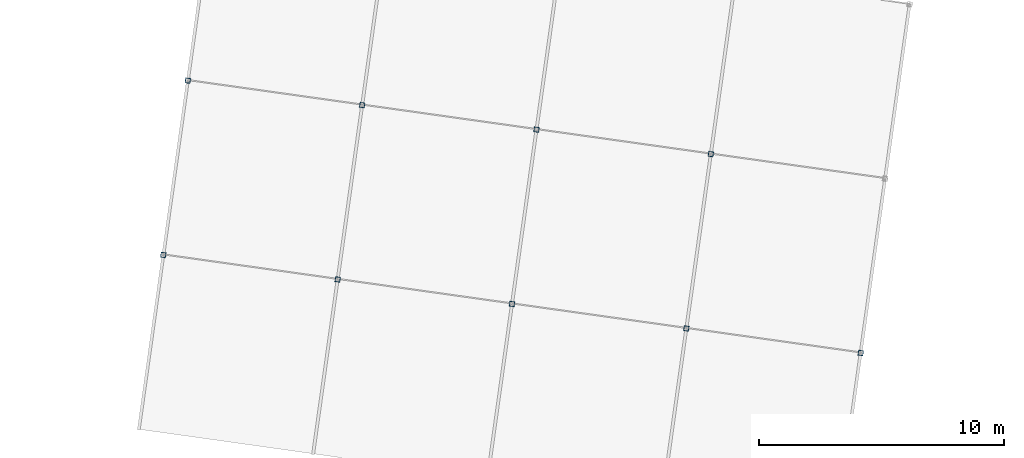
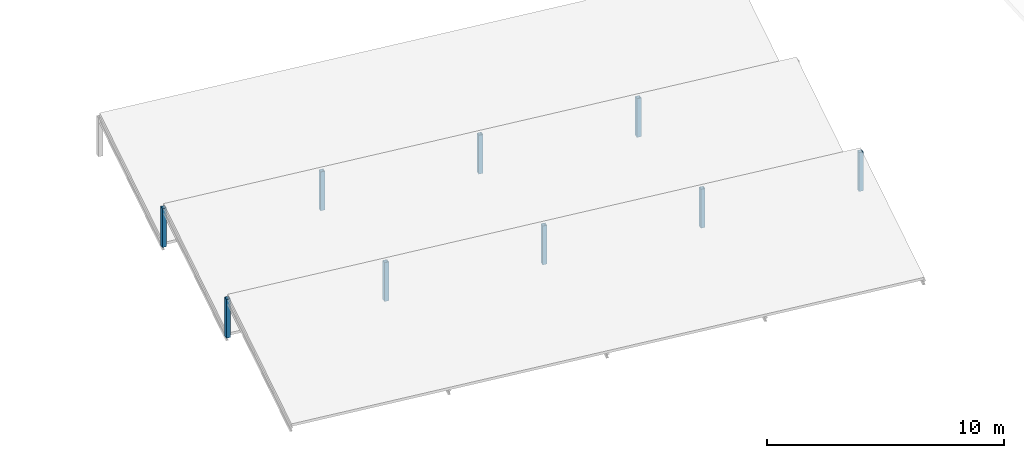
# One storey, part 2 of 48: 9 columns.
"""IFC4 building model written with IfcOpenShell, lengths in metres."""

from ifc_helpers import new_model, si_unit, direction, frame, origin, origin_2d, place, context, subcontext, project, spatial, hollow_rectangle, extrude, material, material_profile, profile_set, type_object, element, save


model = new_model("IFC4")

# Units and contexts
model_context = context("Model", 3, precision=1e-05, world=origin(), true_north=direction((0.0, 1.0)))
body_context = subcontext(model_context, "Body", "Model", "MODEL_VIEW")
ifc_project = project(units=[si_unit("LENGTHUNIT", "METRE"), si_unit("AREAUNIT", "SQUARE_METRE"), si_unit("VOLUMEUNIT", "CUBIC_METRE"), si_unit("PLANEANGLEUNIT", "RADIAN"), si_unit("MASSUNIT", "GRAM", prefix="KILO")], contexts=[model_context])

# Site, building, storey
site_placement = place(None, origin())
site = spatial("IfcSite", under=ifc_project, at=site_placement, CompositionType="ELEMENT")
building_placement = place(site_placement, origin())
building = spatial("IfcBuilding", under=site, at=building_placement, Name="Kharisveld Research Institute", CompositionType="ELEMENT")
storey_placement = place(building_placement, frame((0.0, 0.0, 14.10009765625)))
storey = spatial("IfcBuildingStorey", under=building, at=storey_placement, Name="L03", CompositionType="ELEMENT", Elevation=14.10009765625)

# Columns
ifc_material = material(Name="Steel S355J2H", Category="steel")
ifc_material_profile = material_profile(ifc_material, hollow_rectangle(XDim=0.199951171875, YDim=0.199951171875, WallThickness=0.010009765625, at=origin_2d()))
ifc_profile_set = profile_set([ifc_material_profile], Name="Steel S355J2H")
column_type = type_object("IfcColumnType", Name="COL_ST_SHS200", PredefinedType="COLUMN", material=ifc_profile_set)
for number, where, z_axis, x_axis, name in (
    (1, (76.001953125, 24.6298828125, -0.175048828125), (0.0, 0.0, 1.0), (0.990268068742, -0.13917310096, 0.0), "COL:V4:L03:SAWPOST_0_0"),
    (2, (83.132080078125, 23.6279296875, -0.175048828125), (0.0, 0.0, 1.0), (0.990268068742, -0.13917310096, 0.0), "COL:V4:L03:SAWPOST_0_1"),
    (3, (90.261962890625, 22.625732421875, -0.175048828125), (0.0, 0.0, 1.0), (0.990268068742, -0.13917310096, 0.0), "COL:V4:L03:SAWPOST_0_2"),
    (4, (97.391845703125, 21.623779296875, -0.175048828125), (0.0, 0.0, 1.0), (0.990268068742, -0.13917310096, 0.0), "COL:V4:L03:SAWPOST_0_3"),
    (5, (104.521728515625, 20.621826171875, -0.175048828125), (0.0, 0.0, 1.0), (0.990268068742, -0.13917310096, 0.0), "COL:V4:L03:SAWPOST_0_4"),
    (6, (77.004150390625, 31.759765625, -0.175048828125), (0.0, 0.0, 1.0), (0.990268068742, -0.13917310096, 0.0), "COL:V4:L03:SAWPOST_1_0"),
    (7, (84.134033203125, 30.7578125, -0.175048828125), (0.0, 0.0, 1.0), (0.990268068742, -0.13917310096, 0.0), "COL:V4:L03:SAWPOST_1_1"),
    (8, (91.263916015625, 29.755859375, -0.175048828125), (0.0, 0.0, 1.0), (0.990268068742, -0.13917310096, 0.0), "COL:V4:L03:SAWPOST_1_2"),
    (9, (98.393798828125, 28.753662109375, -0.175048828125), (0.0, 0.0, 1.0), (0.990268068742, -0.13917310096, 0.0), "COL:V4:L03:SAWPOST_1_3"),
):
    element("IfcColumn", number, at=place(storey_placement, frame(where, z_axis=z_axis, x_axis=x_axis)), inside=storey, type_object=column_type, Name=name, PredefinedType="COLUMN", context=body_context, shape_type="SweptSolid", body=[
        extrude(hollow_rectangle(XDim=0.199951171875, YDim=0.199951171875, WallThickness=0.010009765625, at=origin_2d()), origin(), (0.0, 0.0, 1.0), 2.0),
    ])

save(model, "model.ifc")
